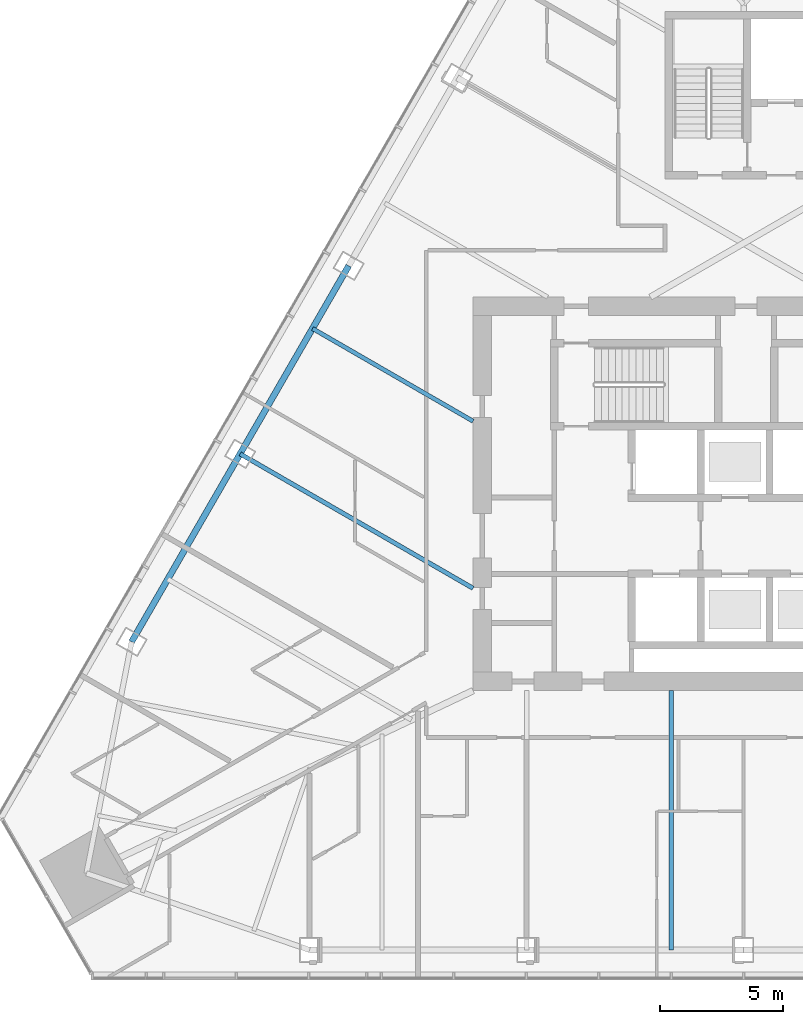
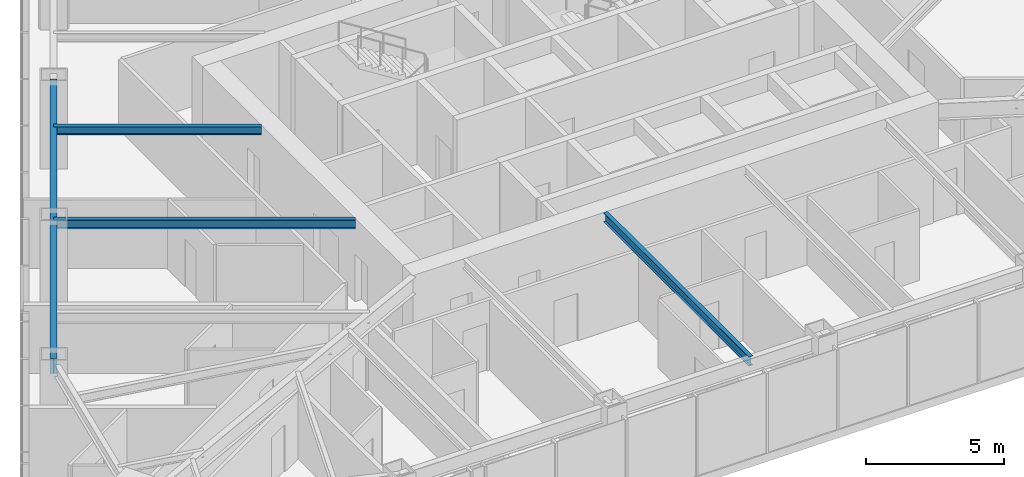
# One storey, part 4 of 19: 4 beams.
"""IFC4 building model written with IfcOpenShell, lengths in metres."""

from ifc_helpers import new_model, si_unit, direction, frame, origin, origin_2d, place, context, subcontext, project, spatial, i_section, extrude, material, material_profile, profile_set, type_object, element, save


model = new_model("IFC4")

# Units and contexts
model_context = context("Model", 3, precision=1e-05, world=origin(), true_north=direction((0.0, 1.0)))
body_context = subcontext(model_context, "Body", "Model", "MODEL_VIEW")
ifc_project = project(units=[si_unit("LENGTHUNIT", "METRE"), si_unit("AREAUNIT", "SQUARE_METRE"), si_unit("VOLUMEUNIT", "CUBIC_METRE"), si_unit("PLANEANGLEUNIT", "RADIAN"), si_unit("MASSUNIT", "GRAM", prefix="KILO")], contexts=[model_context])

# Site, building, storey
site_placement = place(None, origin())
site = spatial("IfcSite", under=ifc_project, at=site_placement, CompositionType="ELEMENT")
building_placement = place(site_placement, origin())
building = spatial("IfcBuilding", under=site, at=building_placement, Name="Firuza Gate Tower and Library", CompositionType="ELEMENT")
storey_placement = place(building_placement, frame((0.0, 0.0, 183.10009765625)))
storey = spatial("IfcBuildingStorey", under=building, at=storey_placement, Name="L42", CompositionType="ELEMENT", Elevation=183.10009765625)

# Beams
ifc_material_1 = material(Name="Steel S355", Category="steel")
ifc_material_profile_1 = material_profile(ifc_material_1, i_section(OverallWidth=0.1708984375, OverallDepth=0.35498046875, WebThickness=0.007080078125, FlangeThickness=0.01171875, at=origin_2d()))
ifc_profile_set_1 = profile_set([ifc_material_profile_1], Name="Steel S355")
beam_type_1 = type_object("IfcBeamType", Name="W360x51 Floor beam", PredefinedType="JOIST", material=ifc_profile_set_1)
beam_1_placement = place(storey_placement, frame((57.472900390625, 81.722900390625, 3.5224609375), z_axis=(0.866031848217, -0.499988837749, 0.0), x_axis=(0.499988837749, 0.866031848217, 0.0)))
element("IfcBeam", 1, at=beam_1_placement, inside=storey, type_object=beam_type_1, Name="Floor beam L42 s83", PredefinedType="JOIST", context=body_context, shape_type="SweptSolid", body=[
    extrude(i_section(OverallWidth=0.1708984375, OverallDepth=0.35498046875, WebThickness=0.007080078125, FlangeThickness=0.01171875, at=origin_2d()), origin(), (0.0, 0.0, 1.0), 7.536865234375),
])
ifc_material_2 = material(Name="Steel S355", Category="steel")
ifc_material_profile_2 = material_profile(ifc_material_2, i_section(OverallWidth=0.177978515625, OverallDepth=0.406982421875, WebThickness=0.0078125, FlangeThickness=0.0126953125, at=origin_2d()))
ifc_profile_set_2 = profile_set([ifc_material_profile_2], Name="Steel S355")
beam_type_2 = type_object("IfcBeamType", Name="W410x60 Floor beam", PredefinedType="JOIST", material=ifc_profile_set_2)
beam_2_placement = place(storey_placement, frame((72.05859375, 56.459716796875, 3.496337890625), z_axis=(0.0, 1.0, 0.0), x_axis=(-1.0, 0.0, 0.0)))
element("IfcBeam", 2, at=beam_2_placement, inside=storey, type_object=beam_type_2, Name="Floor beam L42 s22", PredefinedType="JOIST", context=body_context, shape_type="SweptSolid", body=[
    extrude(i_section(OverallWidth=0.177978515625, OverallDepth=0.406982421875, WebThickness=0.0078125, FlangeThickness=0.0126953125, at=origin_2d()), origin(), (0.0, 0.0, 1.0), 10.540283203125),
])
beam_3_placement = place(storey_placement, frame((54.53173828125, 76.62841796875, 3.496337890625), z_axis=(0.866023451907, -0.500003380735, 0.0), x_axis=(0.500003380735, 0.866023451907, 0.0)))
element("IfcBeam", 3, at=beam_3_placement, inside=storey, type_object=beam_type_2, Name="Floor beam L42 s84", PredefinedType="JOIST", context=body_context, shape_type="SweptSolid", body=[
    extrude(i_section(OverallWidth=0.177978515625, OverallDepth=0.406982421875, WebThickness=0.0078125, FlangeThickness=0.0126953125, at=origin_2d()), origin(), (0.0, 0.0, 1.0), 10.93310546875),
])
ifc_material_3 = material(Name="Steel S355", Category="steel")
ifc_material_profile_3 = material_profile(ifc_material_3, i_section(OverallWidth=0.2529296875, OverallDepth=0.677978515625, WebThickness=0.01171875, FlangeThickness=0.016357421875, at=origin_2d()))
ifc_profile_set_3 = profile_set([ifc_material_profile_3], Name="Steel S355")
beam_type_3 = type_object("IfcBeamType", Name="W690x125 Edge beam", PredefinedType="SPANDREL", material=ifc_profile_set_3)
beam_4_placement = place(storey_placement, frame((58.943603515625, 84.270263671875, 3.36083984375), z_axis=(-0.499992693477, -0.866029622166, 0.0), x_axis=(0.866029622166, -0.499992693477, 0.0)))
element("IfcBeam", 4, at=beam_4_placement, inside=storey, type_object=beam_type_3, Name="Edge beam L42 e82", PredefinedType="SPANDREL", context=body_context, shape_type="SweptSolid", body=[
    extrude(i_section(OverallWidth=0.2529296875, OverallDepth=0.677978515625, WebThickness=0.01171875, FlangeThickness=0.016357421875, at=origin_2d()), origin(), (0.0, 0.0, 1.0), 17.647705078125),
])

save(model, "model.ifc")
